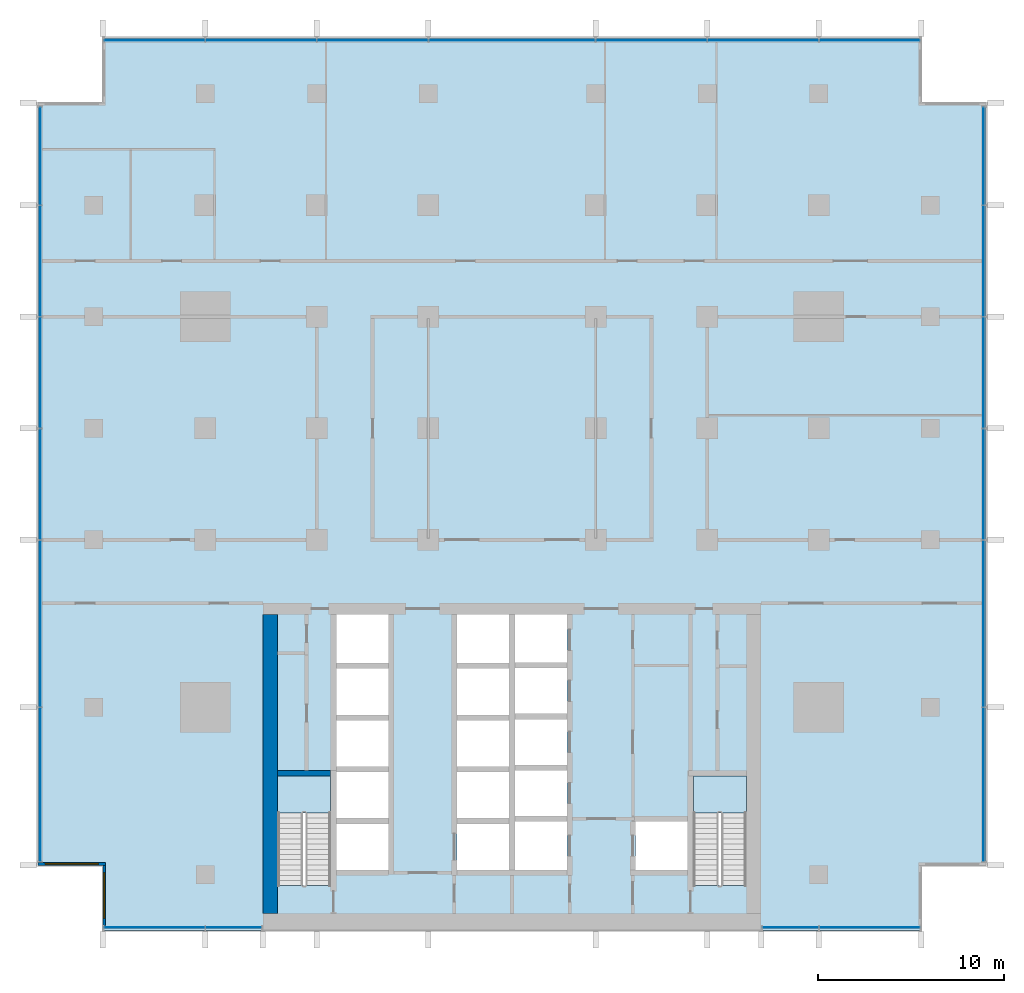
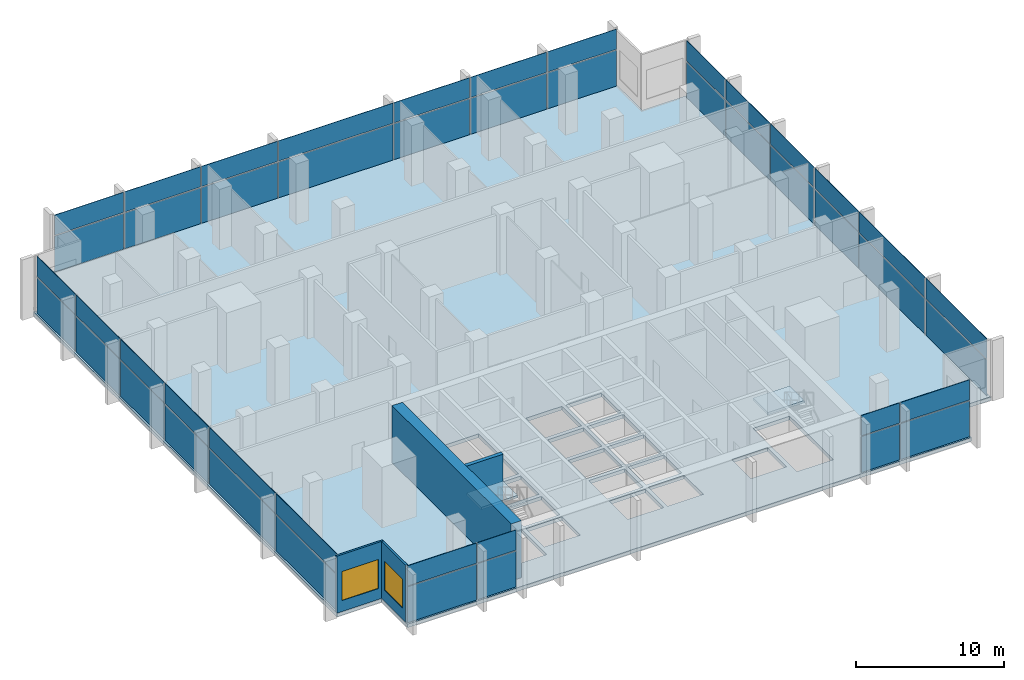
# One storey, part 6 of 14: 46 plates, 4 walls, 3 slabs, 2 windows, 2 openings, 7 elements without a shape of their own.
"""IFC4 building model written with IfcOpenShell, lengths in metres."""

from ifc_helpers import new_model, si_unit, direction, frame, frame_2d, origin, origin_2d, place, context, subcontext, project, spatial, polyline, rectangle, outline, extrude, material, layer, layer_set, type_object, element, fill, aggregate, save


model = new_model("IFC4")

# Units and contexts
model_context = context("Model", 3, precision=1e-05, world=origin(), true_north=direction((0.0, 1.0)))
body_context = subcontext(model_context, "Body", "Model", "MODEL_VIEW")
ifc_project = project(units=[si_unit("LENGTHUNIT", "METRE"), si_unit("AREAUNIT", "SQUARE_METRE"), si_unit("VOLUMEUNIT", "CUBIC_METRE"), si_unit("PLANEANGLEUNIT", "RADIAN"), si_unit("MASSUNIT", "GRAM", prefix="KILO")], contexts=[model_context])

# Site, building, storey
site_placement = place(None, origin())
site = spatial("IfcSite", under=ifc_project, at=site_placement, CompositionType="ELEMENT")
building_placement = place(site_placement, origin())
building = spatial("IfcBuilding", under=site, at=building_placement, Name="Finial Court Residences", CompositionType="ELEMENT")
storey_placement = place(building_placement, frame((0.0, 0.0, 133.89990234375)))
storey = spatial("IfcBuildingStorey", under=building, at=storey_placement, Name="L33", CompositionType="ELEMENT", Elevation=133.89990234375)

# Curtain wall, plates
ifc_material_1 = material(Name="Bronze anodised aluminium", Category="aluminium")
curtain_wall_type = type_object("IfcCurtainWallType", Name="Sky amenity glazing", PredefinedType="NOTDEFINED", material=ifc_material_1)
curtain_wall_1_placement = place(storey_placement, origin())
curtain_wall_1 = element("IfcCurtainWall", 1, at=curtain_wall_1_placement, inside=storey, type_object=curtain_wall_type, Name="E-L33-CW-N1", PredefinedType="NOTDEFINED")
ifc_material_2 = material(Name="Clear low-e glass", Category="glass")
ifc_layer_1 = layer(ifc_material_2, 0.035888671875)
ifc_layer_set_1 = layer_set([ifc_layer_1], Name="CW3 vision glass 36")
plate_type = type_object("IfcPlateType", Name="CW3 vision glass 36", PredefinedType="CURTAIN_PANEL", material=ifc_layer_set_1)
plate_1_placement = place(storey_placement, frame((-19.231201171875, 22.35009765625, 0.000244140625), z_axis=(0.0, 0.0, 1.0), x_axis=(1.0, 0.0, 0.0)))
plate_1 = element("IfcPlate", 2, at=plate_1_placement, type_object=plate_type, Name="CW3 glass 1.1", PredefinedType="CURTAIN_PANEL", context=body_context, shape_type="SweptSolid", body=[
    extrude(rectangle(XDim=5.387451171875, YDim=0.035888671875, at=origin_2d()), origin(), (0.0, 0.0, 1.0), 2.96240234375),
])
plate_2_placement = place(storey_placement, frame((-19.231201171875, 22.35009765625, 3.03759765625), z_axis=(0.0, 0.0, 1.0), x_axis=(1.0, 0.0, 0.0)))
plate_2 = element("IfcPlate", 3, at=plate_2_placement, type_object=plate_type, Name="CW3 glass 1.2", PredefinedType="CURTAIN_PANEL", context=body_context, shape_type="SweptSolid", body=[
    extrude(rectangle(XDim=5.387451171875, YDim=0.035888671875, at=origin_2d()), origin(), (0.0, 0.0, 1.0), 1.66259765625),
])
plate_3_placement = place(storey_placement, frame((-13.5, 22.35009765625, 0.000244140625), z_axis=(0.0, 0.0, 1.0), x_axis=(1.0, 0.0, 0.0)))
plate_3 = element("IfcPlate", 4, at=plate_3_placement, type_object=plate_type, Name="CW3 glass 2.1", PredefinedType="CURTAIN_PANEL", context=body_context, shape_type="SweptSolid", body=[
    extrude(rectangle(XDim=5.925048828125, YDim=0.035888671875, at=origin_2d()), origin(), (0.0, 0.0, 1.0), 2.96240234375),
])
plate_4_placement = place(storey_placement, frame((-13.5, 22.35009765625, 3.03759765625), z_axis=(0.0, 0.0, 1.0), x_axis=(1.0, 0.0, 0.0)))
plate_4 = element("IfcPlate", 5, at=plate_4_placement, type_object=plate_type, Name="CW3 glass 2.2", PredefinedType="CURTAIN_PANEL", context=body_context, shape_type="SweptSolid", body=[
    extrude(rectangle(XDim=5.925048828125, YDim=0.035888671875, at=origin_2d()), origin(), (0.0, 0.0, 1.0), 1.66259765625),
])
plate_5_placement = place(storey_placement, frame((-7.5, 22.35009765625, 0.000244140625), z_axis=(0.0, 0.0, 1.0), x_axis=(1.0, 0.0, 0.0)))
plate_5 = element("IfcPlate", 6, at=plate_5_placement, type_object=plate_type, Name="CW3 glass 3.1", PredefinedType="CURTAIN_PANEL", context=body_context, shape_type="SweptSolid", body=[
    extrude(rectangle(XDim=5.925048828125, YDim=0.035888671875, at=origin_2d()), origin(), (0.0, 0.0, 1.0), 2.96240234375),
])
plate_6_placement = place(storey_placement, frame((-7.5, 22.35009765625, 3.03759765625), z_axis=(0.0, 0.0, 1.0), x_axis=(1.0, 0.0, 0.0)))
plate_6 = element("IfcPlate", 7, at=plate_6_placement, type_object=plate_type, Name="CW3 glass 3.2", PredefinedType="CURTAIN_PANEL", context=body_context, shape_type="SweptSolid", body=[
    extrude(rectangle(XDim=5.925048828125, YDim=0.035888671875, at=origin_2d()), origin(), (0.0, 0.0, 1.0), 1.66259765625),
])
plate_7_placement = place(storey_placement, frame((0.0, 22.35009765625, 0.000244140625), z_axis=(0.0, 0.0, 1.0), x_axis=(1.0, 0.0, 0.0)))
plate_7 = element("IfcPlate", 8, at=plate_7_placement, type_object=plate_type, Name="CW3 glass 4.1", PredefinedType="CURTAIN_PANEL", context=body_context, shape_type="SweptSolid", body=[
    extrude(rectangle(XDim=8.925048828125, YDim=0.035888671875, at=origin_2d()), origin(), (0.0, 0.0, 1.0), 2.96240234375),
])
plate_8_placement = place(storey_placement, frame((0.0, 22.35009765625, 3.03759765625), z_axis=(0.0, 0.0, 1.0), x_axis=(1.0, 0.0, 0.0)))
plate_8 = element("IfcPlate", 9, at=plate_8_placement, type_object=plate_type, Name="CW3 glass 4.2", PredefinedType="CURTAIN_PANEL", context=body_context, shape_type="SweptSolid", body=[
    extrude(rectangle(XDim=8.925048828125, YDim=0.035888671875, at=origin_2d()), origin(), (0.0, 0.0, 1.0), 1.66259765625),
])
plate_9_placement = place(storey_placement, frame((7.5, 22.35009765625, 0.000244140625), z_axis=(0.0, 0.0, 1.0), x_axis=(1.0, 0.0, 0.0)))
plate_9 = element("IfcPlate", 10, at=plate_9_placement, type_object=plate_type, Name="CW3 glass 5.1", PredefinedType="CURTAIN_PANEL", context=body_context, shape_type="SweptSolid", body=[
    extrude(rectangle(XDim=5.925048828125, YDim=0.035888671875, at=origin_2d()), origin(), (0.0, 0.0, 1.0), 2.96240234375),
])
plate_10_placement = place(storey_placement, frame((7.5, 22.35009765625, 3.03759765625), z_axis=(0.0, 0.0, 1.0), x_axis=(1.0, 0.0, 0.0)))
plate_10 = element("IfcPlate", 11, at=plate_10_placement, type_object=plate_type, Name="CW3 glass 5.2", PredefinedType="CURTAIN_PANEL", context=body_context, shape_type="SweptSolid", body=[
    extrude(rectangle(XDim=5.925048828125, YDim=0.035888671875, at=origin_2d()), origin(), (0.0, 0.0, 1.0), 1.66259765625),
])
plate_11_placement = place(storey_placement, frame((13.5, 22.35009765625, 0.000244140625), z_axis=(0.0, 0.0, 1.0), x_axis=(1.0, 0.0, 0.0)))
plate_11 = element("IfcPlate", 12, at=plate_11_placement, type_object=plate_type, Name="CW3 glass 6.1", PredefinedType="CURTAIN_PANEL", context=body_context, shape_type="SweptSolid", body=[
    extrude(rectangle(XDim=5.925048828125, YDim=0.035888671875, at=origin_2d()), origin(), (0.0, 0.0, 1.0), 2.96240234375),
])
plate_12_placement = place(storey_placement, frame((13.5, 22.35009765625, 3.03759765625), z_axis=(0.0, 0.0, 1.0), x_axis=(1.0, 0.0, 0.0)))
plate_12 = element("IfcPlate", 13, at=plate_12_placement, type_object=plate_type, Name="CW3 glass 6.2", PredefinedType="CURTAIN_PANEL", context=body_context, shape_type="SweptSolid", body=[
    extrude(rectangle(XDim=5.925048828125, YDim=0.035888671875, at=origin_2d()), origin(), (0.0, 0.0, 1.0), 1.66259765625),
])
plate_13_placement = place(storey_placement, frame((19.231201171875, 22.35009765625, 0.000244140625), z_axis=(0.0, 0.0, 1.0), x_axis=(1.0, 0.0, 0.0)))
plate_13 = element("IfcPlate", 14, at=plate_13_placement, type_object=plate_type, Name="CW3 glass 7.1", PredefinedType="CURTAIN_PANEL", context=body_context, shape_type="SweptSolid", body=[
    extrude(rectangle(XDim=5.387451171875, YDim=0.035888671875, at=origin_2d()), origin(), (0.0, 0.0, 1.0), 2.96240234375),
])
plate_14_placement = place(storey_placement, frame((19.231201171875, 22.35009765625, 3.03759765625), z_axis=(0.0, 0.0, 1.0), x_axis=(1.0, 0.0, 0.0)))
plate_14 = element("IfcPlate", 15, at=plate_14_placement, type_object=plate_type, Name="CW3 glass 7.2", PredefinedType="CURTAIN_PANEL", context=body_context, shape_type="SweptSolid", body=[
    extrude(rectangle(XDim=5.387451171875, YDim=0.035888671875, at=origin_2d()), origin(), (0.0, 0.0, 1.0), 1.66259765625),
])
aggregate(curtain_wall_1, [plate_1, plate_2, plate_3, plate_4, plate_5, plate_6, plate_7, plate_8, plate_9, plate_10, plate_11, plate_12, plate_13, plate_14])

curtain_wall_2_placement = place(storey_placement, origin())
curtain_wall_2 = element("IfcCurtainWall", 16, at=curtain_wall_2_placement, inside=storey, type_object=curtain_wall_type, Name="E-L33-CW-E2", PredefinedType="NOTDEFINED")
plate_15_placement = place(storey_placement, frame((25.35009765625, -17.65625, 0.000244140625), z_axis=(0.0, 0.0, 1.0), x_axis=(0.0, 1.0, 0.0)))
plate_15 = element("IfcPlate", 17, at=plate_15_placement, type_object=plate_type, Name="CW3 glass 1.1", PredefinedType="CURTAIN_PANEL", context=body_context, shape_type="SweptSolid", body=[
    extrude(rectangle(XDim=8.237548828125, YDim=0.035888671875, at=origin_2d()), origin(), (0.0, 0.0, 1.0), 2.96240234375),
])
plate_16_placement = place(storey_placement, frame((25.35009765625, -17.65625, 3.03759765625), z_axis=(0.0, 0.0, 1.0), x_axis=(0.0, 1.0, 0.0)))
plate_16 = element("IfcPlate", 18, at=plate_16_placement, type_object=plate_type, Name="CW3 glass 1.2", PredefinedType="CURTAIN_PANEL", context=body_context, shape_type="SweptSolid", body=[
    extrude(rectangle(XDim=8.237548828125, YDim=0.035888671875, at=origin_2d()), origin(), (0.0, 0.0, 1.0), 1.66259765625),
])
plate_17_placement = place(storey_placement, frame((25.35009765625, -9.0, 0.000244140625), z_axis=(0.0, 0.0, 1.0), x_axis=(0.0, 1.0, 0.0)))
plate_17 = element("IfcPlate", 19, at=plate_17_placement, type_object=plate_type, Name="CW3 glass 2.1", PredefinedType="CURTAIN_PANEL", context=body_context, shape_type="SweptSolid", body=[
    extrude(rectangle(XDim=8.925048828125, YDim=0.035888671875, at=origin_2d()), origin(), (0.0, 0.0, 1.0), 2.96240234375),
])
plate_18_placement = place(storey_placement, frame((25.35009765625, -9.0, 3.03759765625), z_axis=(0.0, 0.0, 1.0), x_axis=(0.0, 1.0, 0.0)))
plate_18 = element("IfcPlate", 20, at=plate_18_placement, type_object=plate_type, Name="CW3 glass 2.2", PredefinedType="CURTAIN_PANEL", context=body_context, shape_type="SweptSolid", body=[
    extrude(rectangle(XDim=8.925048828125, YDim=0.035888671875, at=origin_2d()), origin(), (0.0, 0.0, 1.0), 1.66259765625),
])
plate_19_placement = place(storey_placement, frame((25.35009765625, -1.5, 0.000244140625), z_axis=(0.0, 0.0, 1.0), x_axis=(0.0, 1.0, 0.0)))
plate_19 = element("IfcPlate", 21, at=plate_19_placement, type_object=plate_type, Name="CW3 glass 3.1", PredefinedType="CURTAIN_PANEL", context=body_context, shape_type="SweptSolid", body=[
    extrude(rectangle(XDim=5.925048828125, YDim=0.035888671875, at=origin_2d()), origin(), (0.0, 0.0, 1.0), 2.96240234375),
])
plate_20_placement = place(storey_placement, frame((25.35009765625, -1.5, 3.03759765625), z_axis=(0.0, 0.0, 1.0), x_axis=(0.0, 1.0, 0.0)))
plate_20 = element("IfcPlate", 22, at=plate_20_placement, type_object=plate_type, Name="CW3 glass 3.2", PredefinedType="CURTAIN_PANEL", context=body_context, shape_type="SweptSolid", body=[
    extrude(rectangle(XDim=5.925048828125, YDim=0.035888671875, at=origin_2d()), origin(), (0.0, 0.0, 1.0), 1.66259765625),
])
plate_21_placement = place(storey_placement, frame((25.35009765625, 4.5, 0.000244140625), z_axis=(0.0, 0.0, 1.0), x_axis=(0.0, 1.0, 0.0)))
plate_21 = element("IfcPlate", 23, at=plate_21_placement, type_object=plate_type, Name="CW3 glass 4.1", PredefinedType="CURTAIN_PANEL", context=body_context, shape_type="SweptSolid", body=[
    extrude(rectangle(XDim=5.925048828125, YDim=0.035888671875, at=origin_2d()), origin(), (0.0, 0.0, 1.0), 2.96240234375),
])
plate_22_placement = place(storey_placement, frame((25.35009765625, 4.5, 3.03759765625), z_axis=(0.0, 0.0, 1.0), x_axis=(0.0, 1.0, 0.0)))
plate_22 = element("IfcPlate", 24, at=plate_22_placement, type_object=plate_type, Name="CW3 glass 4.2", PredefinedType="CURTAIN_PANEL", context=body_context, shape_type="SweptSolid", body=[
    extrude(rectangle(XDim=5.925048828125, YDim=0.035888671875, at=origin_2d()), origin(), (0.0, 0.0, 1.0), 1.66259765625),
])
plate_23_placement = place(storey_placement, frame((25.35009765625, 10.5, 0.000244140625), z_axis=(0.0, 0.0, 1.0), x_axis=(0.0, 1.0, 0.0)))
plate_23 = element("IfcPlate", 25, at=plate_23_placement, type_object=plate_type, Name="CW3 glass 5.1", PredefinedType="CURTAIN_PANEL", context=body_context, shape_type="SweptSolid", body=[
    extrude(rectangle(XDim=5.925048828125, YDim=0.035888671875, at=origin_2d()), origin(), (0.0, 0.0, 1.0), 2.96240234375),
])
plate_24_placement = place(storey_placement, frame((25.35009765625, 10.5, 3.03759765625), z_axis=(0.0, 0.0, 1.0), x_axis=(0.0, 1.0, 0.0)))
plate_24 = element("IfcPlate", 26, at=plate_24_placement, type_object=plate_type, Name="CW3 glass 5.2", PredefinedType="CURTAIN_PANEL", context=body_context, shape_type="SweptSolid", body=[
    extrude(rectangle(XDim=5.925048828125, YDim=0.035888671875, at=origin_2d()), origin(), (0.0, 0.0, 1.0), 1.66259765625),
])
plate_25_placement = place(storey_placement, frame((25.35009765625, 16.15625, 0.000244140625), z_axis=(0.0, 0.0, 1.0), x_axis=(0.0, 1.0, 0.0)))
plate_25 = element("IfcPlate", 27, at=plate_25_placement, type_object=plate_type, Name="CW3 glass 6.1", PredefinedType="CURTAIN_PANEL", context=body_context, shape_type="SweptSolid", body=[
    extrude(rectangle(XDim=5.237548828125, YDim=0.035888671875, at=origin_2d()), origin(), (0.0, 0.0, 1.0), 2.96240234375),
])
plate_26_placement = place(storey_placement, frame((25.35009765625, 16.15625, 3.03759765625), z_axis=(0.0, 0.0, 1.0), x_axis=(0.0, 1.0, 0.0)))
plate_26 = element("IfcPlate", 28, at=plate_26_placement, type_object=plate_type, Name="CW3 glass 6.2", PredefinedType="CURTAIN_PANEL", context=body_context, shape_type="SweptSolid", body=[
    extrude(rectangle(XDim=5.237548828125, YDim=0.035888671875, at=origin_2d()), origin(), (0.0, 0.0, 1.0), 1.66259765625),
])
aggregate(curtain_wall_2, [plate_15, plate_16, plate_17, plate_18, plate_19, plate_20, plate_21, plate_22, plate_23, plate_24, plate_25, plate_26])

curtain_wall_3_placement = place(storey_placement, origin())
curtain_wall_3 = element("IfcCurtainWall", 29, at=curtain_wall_3_placement, inside=storey, type_object=curtain_wall_type, Name="E-L33-CW-S3", PredefinedType="NOTDEFINED")
plate_27_placement = place(storey_placement, frame((-19.231201171875, -25.35009765625, 0.000244140625), z_axis=(0.0, 0.0, 1.0), x_axis=(1.0, 0.0, 0.0)))
plate_27 = element("IfcPlate", 30, at=plate_27_placement, type_object=plate_type, Name="CW3 glass 1.1", PredefinedType="CURTAIN_PANEL", context=body_context, shape_type="SweptSolid", body=[
    extrude(rectangle(XDim=5.387451171875, YDim=0.035888671875, at=origin_2d()), origin(), (0.0, 0.0, 1.0), 2.96240234375),
])
plate_28_placement = place(storey_placement, frame((-19.231201171875, -25.35009765625, 3.03759765625), z_axis=(0.0, 0.0, 1.0), x_axis=(1.0, 0.0, 0.0)))
plate_28 = element("IfcPlate", 31, at=plate_28_placement, type_object=plate_type, Name="CW3 glass 1.2", PredefinedType="CURTAIN_PANEL", context=body_context, shape_type="SweptSolid", body=[
    extrude(rectangle(XDim=5.387451171875, YDim=0.035888671875, at=origin_2d()), origin(), (0.0, 0.0, 1.0), 1.66259765625),
])
plate_29_placement = place(storey_placement, frame((-14.96875, -25.35009765625, 0.000244140625), z_axis=(0.0, 0.0, 1.0), x_axis=(1.0, 0.0, 0.0)))
plate_29 = element("IfcPlate", 32, at=plate_29_placement, type_object=plate_type, Name="CW3 glass 2.1", PredefinedType="CURTAIN_PANEL", context=body_context, shape_type="SweptSolid", body=[
    extrude(rectangle(XDim=2.987548828125, YDim=0.035888671875, at=origin_2d()), origin(), (0.0, 0.0, 1.0), 2.96240234375),
])
plate_30_placement = place(storey_placement, frame((-14.96875, -25.35009765625, 3.03759765625), z_axis=(0.0, 0.0, 1.0), x_axis=(1.0, 0.0, 0.0)))
plate_30 = element("IfcPlate", 33, at=plate_30_placement, type_object=plate_type, Name="CW3 glass 2.2", PredefinedType="CURTAIN_PANEL", context=body_context, shape_type="SweptSolid", body=[
    extrude(rectangle(XDim=2.987548828125, YDim=0.035888671875, at=origin_2d()), origin(), (0.0, 0.0, 1.0), 1.66259765625),
])
aggregate(curtain_wall_3, [plate_27, plate_28, plate_29, plate_30])

curtain_wall_4_placement = place(storey_placement, origin())
curtain_wall_4 = element("IfcCurtainWall", 34, at=curtain_wall_4_placement, inside=storey, type_object=curtain_wall_type, Name="E-L33-CW-S4", PredefinedType="NOTDEFINED")
plate_31_placement = place(storey_placement, frame((14.96875, -25.35009765625, 0.000244140625), z_axis=(0.0, 0.0, 1.0), x_axis=(1.0, 0.0, 0.0)))
plate_31 = element("IfcPlate", 35, at=plate_31_placement, type_object=plate_type, Name="CW3 glass 1.1", PredefinedType="CURTAIN_PANEL", context=body_context, shape_type="SweptSolid", body=[
    extrude(rectangle(XDim=2.987548828125, YDim=0.035888671875, at=origin_2d()), origin(), (0.0, 0.0, 1.0), 2.96240234375),
])
plate_32_placement = place(storey_placement, frame((14.96875, -25.35009765625, 3.03759765625), z_axis=(0.0, 0.0, 1.0), x_axis=(1.0, 0.0, 0.0)))
plate_32 = element("IfcPlate", 36, at=plate_32_placement, type_object=plate_type, Name="CW3 glass 1.2", PredefinedType="CURTAIN_PANEL", context=body_context, shape_type="SweptSolid", body=[
    extrude(rectangle(XDim=2.987548828125, YDim=0.035888671875, at=origin_2d()), origin(), (0.0, 0.0, 1.0), 1.66259765625),
])
plate_33_placement = place(storey_placement, frame((19.231201171875, -25.35009765625, 0.000244140625), z_axis=(0.0, 0.0, 1.0), x_axis=(1.0, 0.0, 0.0)))
plate_33 = element("IfcPlate", 37, at=plate_33_placement, type_object=plate_type, Name="CW3 glass 2.1", PredefinedType="CURTAIN_PANEL", context=body_context, shape_type="SweptSolid", body=[
    extrude(rectangle(XDim=5.387451171875, YDim=0.035888671875, at=origin_2d()), origin(), (0.0, 0.0, 1.0), 2.96240234375),
])
plate_34_placement = place(storey_placement, frame((19.231201171875, -25.35009765625, 3.03759765625), z_axis=(0.0, 0.0, 1.0), x_axis=(1.0, 0.0, 0.0)))
plate_34 = element("IfcPlate", 38, at=plate_34_placement, type_object=plate_type, Name="CW3 glass 2.2", PredefinedType="CURTAIN_PANEL", context=body_context, shape_type="SweptSolid", body=[
    extrude(rectangle(XDim=5.387451171875, YDim=0.035888671875, at=origin_2d()), origin(), (0.0, 0.0, 1.0), 1.66259765625),
])
aggregate(curtain_wall_4, [plate_31, plate_32, plate_33, plate_34])

curtain_wall_5_placement = place(storey_placement, origin())
curtain_wall_5 = element("IfcCurtainWall", 39, at=curtain_wall_5_placement, inside=storey, type_object=curtain_wall_type, Name="E-L33-CW-W5", PredefinedType="NOTDEFINED")
plate_35_placement = place(storey_placement, frame((-25.35009765625, -17.65625, 0.000244140625), z_axis=(0.0, 0.0, 1.0), x_axis=(0.0, 1.0, 0.0)))
plate_35 = element("IfcPlate", 40, at=plate_35_placement, type_object=plate_type, Name="CW3 glass 1.1", PredefinedType="CURTAIN_PANEL", context=body_context, shape_type="SweptSolid", body=[
    extrude(rectangle(XDim=8.237548828125, YDim=0.035888671875, at=origin_2d()), origin(), (0.0, 0.0, 1.0), 2.96240234375),
])
plate_36_placement = place(storey_placement, frame((-25.35009765625, -17.65625, 3.03759765625), z_axis=(0.0, 0.0, 1.0), x_axis=(0.0, 1.0, 0.0)))
plate_36 = element("IfcPlate", 41, at=plate_36_placement, type_object=plate_type, Name="CW3 glass 1.2", PredefinedType="CURTAIN_PANEL", context=body_context, shape_type="SweptSolid", body=[
    extrude(rectangle(XDim=8.237548828125, YDim=0.035888671875, at=origin_2d()), origin(), (0.0, 0.0, 1.0), 1.66259765625),
])
plate_37_placement = place(storey_placement, frame((-25.35009765625, -9.0, 0.000244140625), z_axis=(0.0, 0.0, 1.0), x_axis=(0.0, 1.0, 0.0)))
plate_37 = element("IfcPlate", 42, at=plate_37_placement, type_object=plate_type, Name="CW3 glass 2.1", PredefinedType="CURTAIN_PANEL", context=body_context, shape_type="SweptSolid", body=[
    extrude(rectangle(XDim=8.925048828125, YDim=0.035888671875, at=origin_2d()), origin(), (0.0, 0.0, 1.0), 2.96240234375),
])
plate_38_placement = place(storey_placement, frame((-25.35009765625, -9.0, 3.03759765625), z_axis=(0.0, 0.0, 1.0), x_axis=(0.0, 1.0, 0.0)))
plate_38 = element("IfcPlate", 43, at=plate_38_placement, type_object=plate_type, Name="CW3 glass 2.2", PredefinedType="CURTAIN_PANEL", context=body_context, shape_type="SweptSolid", body=[
    extrude(rectangle(XDim=8.925048828125, YDim=0.035888671875, at=origin_2d()), origin(), (0.0, 0.0, 1.0), 1.66259765625),
])
plate_39_placement = place(storey_placement, frame((-25.35009765625, -1.5, 0.000244140625), z_axis=(0.0, 0.0, 1.0), x_axis=(0.0, 1.0, 0.0)))
plate_39 = element("IfcPlate", 44, at=plate_39_placement, type_object=plate_type, Name="CW3 glass 3.1", PredefinedType="CURTAIN_PANEL", context=body_context, shape_type="SweptSolid", body=[
    extrude(rectangle(XDim=5.925048828125, YDim=0.035888671875, at=origin_2d()), origin(), (0.0, 0.0, 1.0), 2.96240234375),
])
plate_40_placement = place(storey_placement, frame((-25.35009765625, -1.5, 3.03759765625), z_axis=(0.0, 0.0, 1.0), x_axis=(0.0, 1.0, 0.0)))
plate_40 = element("IfcPlate", 45, at=plate_40_placement, type_object=plate_type, Name="CW3 glass 3.2", PredefinedType="CURTAIN_PANEL", context=body_context, shape_type="SweptSolid", body=[
    extrude(rectangle(XDim=5.925048828125, YDim=0.035888671875, at=origin_2d()), origin(), (0.0, 0.0, 1.0), 1.66259765625),
])
plate_41_placement = place(storey_placement, frame((-25.35009765625, 4.5, 0.000244140625), z_axis=(0.0, 0.0, 1.0), x_axis=(0.0, 1.0, 0.0)))
plate_41 = element("IfcPlate", 46, at=plate_41_placement, type_object=plate_type, Name="CW3 glass 4.1", PredefinedType="CURTAIN_PANEL", context=body_context, shape_type="SweptSolid", body=[
    extrude(rectangle(XDim=5.925048828125, YDim=0.035888671875, at=origin_2d()), origin(), (0.0, 0.0, 1.0), 2.96240234375),
])
plate_42_placement = place(storey_placement, frame((-25.35009765625, 4.5, 3.03759765625), z_axis=(0.0, 0.0, 1.0), x_axis=(0.0, 1.0, 0.0)))
plate_42 = element("IfcPlate", 47, at=plate_42_placement, type_object=plate_type, Name="CW3 glass 4.2", PredefinedType="CURTAIN_PANEL", context=body_context, shape_type="SweptSolid", body=[
    extrude(rectangle(XDim=5.925048828125, YDim=0.035888671875, at=origin_2d()), origin(), (0.0, 0.0, 1.0), 1.66259765625),
])
plate_43_placement = place(storey_placement, frame((-25.35009765625, 10.5, 0.000244140625), z_axis=(0.0, 0.0, 1.0), x_axis=(0.0, 1.0, 0.0)))
plate_43 = element("IfcPlate", 48, at=plate_43_placement, type_object=plate_type, Name="CW3 glass 5.1", PredefinedType="CURTAIN_PANEL", context=body_context, shape_type="SweptSolid", body=[
    extrude(rectangle(XDim=5.925048828125, YDim=0.035888671875, at=origin_2d()), origin(), (0.0, 0.0, 1.0), 2.96240234375),
])
plate_44_placement = place(storey_placement, frame((-25.35009765625, 10.5, 3.03759765625), z_axis=(0.0, 0.0, 1.0), x_axis=(0.0, 1.0, 0.0)))
plate_44 = element("IfcPlate", 49, at=plate_44_placement, type_object=plate_type, Name="CW3 glass 5.2", PredefinedType="CURTAIN_PANEL", context=body_context, shape_type="SweptSolid", body=[
    extrude(rectangle(XDim=5.925048828125, YDim=0.035888671875, at=origin_2d()), origin(), (0.0, 0.0, 1.0), 1.66259765625),
])
plate_45_placement = place(storey_placement, frame((-25.35009765625, 16.15625, 0.000244140625), z_axis=(0.0, 0.0, 1.0), x_axis=(0.0, 1.0, 0.0)))
plate_45 = element("IfcPlate", 50, at=plate_45_placement, type_object=plate_type, Name="CW3 glass 6.1", PredefinedType="CURTAIN_PANEL", context=body_context, shape_type="SweptSolid", body=[
    extrude(rectangle(XDim=5.237548828125, YDim=0.035888671875, at=origin_2d()), origin(), (0.0, 0.0, 1.0), 2.96240234375),
])
plate_46_placement = place(storey_placement, frame((-25.35009765625, 16.15625, 3.03759765625), z_axis=(0.0, 0.0, 1.0), x_axis=(0.0, 1.0, 0.0)))
plate_46 = element("IfcPlate", 51, at=plate_46_placement, type_object=plate_type, Name="CW3 glass 6.2", PredefinedType="CURTAIN_PANEL", context=body_context, shape_type="SweptSolid", body=[
    extrude(rectangle(XDim=5.237548828125, YDim=0.035888671875, at=origin_2d()), origin(), (0.0, 0.0, 1.0), 1.66259765625),
])
aggregate(curtain_wall_5, [plate_35, plate_36, plate_37, plate_38, plate_39, plate_40, plate_41, plate_42, plate_43, plate_44, plate_45, plate_46])

# Stair, slab
ifc_material_3 = material(Name="Concrete C50/60", Category="concrete")
stair_type = type_object("IfcStairType", Name="Exit stair 30 risers of 166.7 mm", PredefinedType="HALF_TURN_STAIR", material=ifc_material_3)
stair_1_placement = place(storey_placement, origin())
stair_1 = element("IfcStair", 52, at=stair_1_placement, inside=storey, type_object=stair_type, Name="L33 Exit stair ST-1", PredefinedType="HALF_TURN_STAIR")
ifc_layer_2 = layer(ifc_material_3, 0.199951171875)
ifc_layer_set_2 = layer_set([ifc_layer_2], Name="Exit stair landing")
slab_type_1 = type_object("IfcSlabType", Name="Exit stair landing", PredefinedType="LANDING", material=ifc_layer_set_2)
slab_1_placement = place(storey_placement, frame((0.0, 0.0, 2.300048828125)))
slab_1 = element("IfcSlab", 53, at=slab_1_placement, type_object=slab_type_1, Name="ST-1 landing 1", PredefinedType="LANDING", context=body_context, shape_type="SweptSolid", body=[
    extrude(outline(polyline([(-9.75, -19.179931640625), (-9.75, -17.199951171875), (-12.60009765625, -17.199951171875), (-12.60009765625, -19.179931640625), (-9.75, -19.179931640625)])), origin(), (0.0, 0.0, 1.0), 0.199951171875),
])
aggregate(stair_1, [slab_1])

stair_2_placement = place(storey_placement, origin())
stair_2 = element("IfcStair", 54, at=stair_2_placement, inside=storey, type_object=stair_type, Name="L33 Exit stair ST-2", PredefinedType="HALF_TURN_STAIR")
slab_2_placement = place(storey_placement, frame((0.0, 0.0, 2.300048828125)))
slab_2 = element("IfcSlab", 55, at=slab_2_placement, type_object=slab_type_1, Name="ST-2 landing 1", PredefinedType="LANDING", context=body_context, shape_type="SweptSolid", body=[
    extrude(outline(polyline([(12.60009765625, -19.179931640625), (12.60009765625, -17.199951171875), (9.75, -17.199951171875), (9.75, -19.179931640625), (12.60009765625, -19.179931640625)])), origin(), (0.0, 0.0, 1.0), 0.199951171875),
])
aggregate(stair_2, [slab_2])

# Slab
ifc_material_4 = material(Name="Concrete C40/50", Category="concrete")
ifc_layer_3 = layer(ifc_material_4, 0.300048828125)
ifc_layer_set_3 = layer_set([ifc_layer_3], Name="Flat plate slab 300 Concrete C40/50")
slab_type_2 = type_object("IfcSlabType", Name="Flat plate slab 300 Concrete C40/50", PredefinedType="FLOOR", material=ifc_layer_set_3)
slab_3_placement = place(storey_placement, frame((0.0, 0.0, -0.2998046875)))
element("IfcSlab", 56, at=slab_3_placement, inside=storey, type_object=slab_type_2, Name="S:SLAB:L33", PredefinedType="FLOOR", context=body_context, shape_type="SweptSolid", body=[
    extrude(outline(polyline([(22.0, -25.5), (-22.0, -25.5), (-22.0, -22.0), (-25.5, -22.0), (-25.5, 19.0), (-22.0, 19.0), (-22.0, 22.5), (22.0, 22.5), (22.0, 19.0), (25.5, 19.0), (25.5, -22.0), (22.0, -22.0), (22.0, -25.5)]), holes=[polyline([(-6.64990234375, -22.25), (-6.64990234375, -19.77001953125), (-9.449951171875, -19.77001953125), (-9.449951171875, -22.25), (-6.64990234375, -22.25)]), polyline([(-0.14990234375, -22.25), (-0.14990234375, -19.77001953125), (-2.949951171875, -19.77001953125), (-2.949951171875, -22.25), (-0.14990234375, -22.25)]), polyline([(-9.75, -17.199951171875), (-12.60009765625, -17.199951171875), (-12.60009765625, -23.09912109375), (-9.75, -23.09912109375), (-9.75, -17.199951171875)]), polyline([(-6.64990234375, -19.469970703125), (-6.64990234375, -16.989990234375), (-9.449951171875, -16.989990234375), (-9.449951171875, -19.469970703125), (-6.64990234375, -19.469970703125)]), polyline([(-6.64990234375, -16.68994140625), (-6.64990234375, -14.2099609375), (-9.449951171875, -14.2099609375), (-9.449951171875, -16.68994140625), (-6.64990234375, -16.68994140625)]), polyline([(-0.14990234375, -16.68994140625), (-0.14990234375, -14.2099609375), (-2.949951171875, -14.2099609375), (-2.949951171875, -16.68994140625), (-0.14990234375, -16.68994140625)]), polyline([(-6.64990234375, -13.909912109375), (-6.64990234375, -11.429931640625), (-9.449951171875, -11.429931640625), (-9.449951171875, -13.909912109375), (-6.64990234375, -13.909912109375)]), polyline([(-2.949951171875, -13.909912109375), (-0.14990234375, -13.909912109375), (-0.14990234375, -11.429931640625), (-2.949951171875, -11.429931640625), (-2.949951171875, -13.909912109375)]), polyline([(-9.449951171875, -11.1298828125), (-6.64990234375, -11.1298828125), (-6.64990234375, -8.5), (-9.449951171875, -8.5), (-9.449951171875, -11.1298828125)]), polyline([(2.949951171875, -22.25), (2.949951171875, -19.64990234375), (0.14990234375, -19.64990234375), (0.14990234375, -22.25), (2.949951171875, -22.25)]), polyline([(9.449951171875, -22.25), (9.449951171875, -19.64990234375), (6.64990234375, -19.64990234375), (6.64990234375, -22.25), (9.449951171875, -22.25)]), polyline([(12.60009765625, -17.199951171875), (9.75, -17.199951171875), (9.75, -23.09912109375), (12.60009765625, -23.09912109375), (12.60009765625, -17.199951171875)]), polyline([(-0.14990234375, -19.469970703125), (-0.14990234375, -16.989990234375), (-2.949951171875, -16.989990234375), (-2.949951171875, -19.469970703125), (-0.14990234375, -19.469970703125)]), polyline([(2.949951171875, -19.35009765625), (2.949951171875, -16.89990234375), (0.14990234375, -16.89990234375), (0.14990234375, -19.35009765625), (2.949951171875, -19.35009765625)]), polyline([(2.949951171875, -16.60009765625), (2.949951171875, -14.14990234375), (0.14990234375, -14.14990234375), (0.14990234375, -16.60009765625), (2.949951171875, -16.60009765625)]), polyline([(2.949951171875, -13.85009765625), (2.949951171875, -11.39990234375), (0.14990234375, -11.39990234375), (0.14990234375, -13.85009765625), (2.949951171875, -13.85009765625)]), polyline([(-2.949951171875, -11.1298828125), (-0.14990234375, -11.1298828125), (-0.14990234375, -8.5), (-2.949951171875, -8.5), (-2.949951171875, -11.1298828125)]), polyline([(0.14990234375, -11.10009765625), (2.949951171875, -11.10009765625), (2.949951171875, -8.5), (0.14990234375, -8.5), (0.14990234375, -11.10009765625)])]), origin(), (0.0, 0.0, 1.0), 0.2998046875),
])

# Walls
ifc_material_5 = material(Name="Concrete C70/85", Category="concrete")
ifc_layer_4 = layer(ifc_material_5, 0.800048828125)
ifc_layer_set_4 = layer_set([ifc_layer_4], Name="Core outer wall 800 Concrete C70/85")
wall_type_1 = type_object("IfcWallType", Name="Core outer wall 800 Concrete C70/85", PredefinedType="SHEAR", material=ifc_layer_set_4)
wall_1_placement = place(storey_placement, frame((-13.0, -24.60009765625, 0.0), z_axis=(0.0, 0.0, 1.0), x_axis=(0.0, 1.0, 0.0)))
element("IfcWall", 57, at=wall_1_placement, inside=storey, type_object=wall_type_1, Name="Core outer wall L33-03", PredefinedType="SHEAR", context=body_context, shape_type="SweptSolid", body=[
    extrude(rectangle(XDim=16.10009765625, YDim=0.800048828125, at=frame_2d((8.050048828125, 0.0))), origin(), (0.0, 0.0, 1.0), 4.7001953125),
])
ifc_layer_5 = layer(ifc_material_5, 0.300048828125)
ifc_layer_set_5 = layer_set([ifc_layer_5], Name="Lift shaft and stair wall 300 Concrete C70/85")
wall_type_2 = type_object("IfcWallType", Name="Lift shaft and stair wall 300 Concrete C70/85", PredefinedType="SHEAR", material=ifc_layer_set_5)
wall_2_placement = place(storey_placement, frame((-12.60009765625, -17.050048828125, 0.0), z_axis=(0.0, 0.0, 1.0), x_axis=(1.0, 0.0, 0.0)))
element("IfcWall", 58, at=wall_2_placement, inside=storey, type_object=wall_type_2, Name="Core wall L33-10", PredefinedType="SHEAR", context=body_context, shape_type="SweptSolid", body=[
    extrude(rectangle(XDim=2.85009765625, YDim=0.300048828125, at=frame_2d((1.425048828125, 0.0))), origin(), (0.0, 0.0, 1.0), 4.7001953125),
])

# Wall, opening, window
ifc_material_6 = material(Name="Natural limestone", Category="masonry")
ifc_layer_6 = layer(ifc_material_6, 0.14990234375)
ifc_layer_set_6 = layer_set([ifc_layer_6], Name="Limestone clad wall 150")
wall_type_3 = type_object("IfcWallType", Name="Limestone clad wall 150", PredefinedType="SOLIDWALL", material=ifc_layer_set_6)
wall_3_placement = place(storey_placement, frame((-21.925048828125, -25.237548828125, 0.0), z_axis=(0.0, 0.0, 1.0), x_axis=(0.0, 1.0, 0.0)))
wall_3 = element("IfcWall", 59, at=wall_3_placement, inside=storey, type_object=wall_type_3, Name="E-L33-NWW6", PredefinedType="SOLIDWALL", context=body_context, shape_type="SweptSolid", body=[
    extrude(rectangle(XDim=3.237548828125, YDim=0.14990234375, at=frame_2d((1.61865234375, 0.0))), origin(), (0.0, 0.0, 1.0), 4.7001953125),
])
opening_1_placement = place(wall_3_placement, frame((0.398681640625, 0.0, 0.89990234375)))
opening_1 = element("IfcOpeningElement", 60, at=opening_1_placement, cuts=wall_3, Name="Opening WE33-01", PredefinedType="OPENING", context=body_context, shape_type="SweptSolid", body=[
    extrude(rectangle(XDim=2.43994140625, YDim=2.39990234375, at=frame_2d((1.219970703125, 1.199951171875))), frame((0.0, 0.0849609375, 0.0), z_axis=(0.0, -1.0, 0.0), x_axis=(1.0, 0.0, 0.0)), (0.0, 0.0, 1.0), 0.169921875),
])
window_type_1 = type_object("IfcWindowType", Name="Corner window 2440 x 2400", PartitioningType="SINGLE_PANEL", PredefinedType="WINDOW", material=ifc_material_2)
window_1_placement = place(opening_1_placement, origin())
window_1 = element("IfcWindow", 61, at=window_1_placement, inside=storey, type_object=window_type_1, Name="E-L33-NWW6-W1", OverallHeight=2.39990234375, OverallWidth=2.43994140625, PartitioningType="SINGLE_PANEL", PredefinedType="WINDOW", context=body_context, shape_type="SweptSolid", body=[
    extrude(rectangle(XDim=2.43994140625, YDim=2.39990234375, at=frame_2d((1.219970703125, 1.199951171875))), frame((0.0, 0.030029296875, 0.0), z_axis=(0.0, -1.0, 0.0), x_axis=(1.0, 0.0, 0.0)), (0.0, 0.0, 1.0), 0.06005859375),
])
fill(opening_1, window_1)

wall_4_placement = place(storey_placement, frame((-21.85009765625, -21.925048828125, 0.0), z_axis=(0.0, 0.0, 1.0), x_axis=(-1.0, 0.0, 0.0)))
wall_4 = element("IfcWall", 62, at=wall_4_placement, inside=storey, type_object=wall_type_3, Name="E-L33-NWS7", PredefinedType="SOLIDWALL", context=body_context, shape_type="SweptSolid", body=[
    extrude(rectangle(XDim=3.64990234375, YDim=0.14990234375, at=frame_2d((1.824951171875, 0.0))), origin(), (0.0, 0.0, 1.0), 4.7001953125),
])
opening_2_placement = place(wall_4_placement, frame((0.39990234375, 0.0, 0.89990234375)))
opening_2 = element("IfcOpeningElement", 63, at=opening_2_placement, cuts=wall_4, Name="Opening WE33-02", PredefinedType="OPENING", context=body_context, shape_type="SweptSolid", body=[
    extrude(rectangle(XDim=2.85009765625, YDim=2.39990234375, at=frame_2d((1.425048828125, 1.199951171875))), frame((0.0, 0.0849609375, 0.0), z_axis=(0.0, -1.0, 0.0), x_axis=(1.0, 0.0, 0.0)), (0.0, 0.0, 1.0), 0.169921875),
])
window_type_2 = type_object("IfcWindowType", Name="Corner window 2850 x 2400", PartitioningType="SINGLE_PANEL", PredefinedType="WINDOW", material=ifc_material_2)
window_2_placement = place(opening_2_placement, origin())
window_2 = element("IfcWindow", 64, at=window_2_placement, inside=storey, type_object=window_type_2, Name="E-L33-NWS7-W1", OverallHeight=2.39990234375, OverallWidth=2.85009765625, PartitioningType="SINGLE_PANEL", PredefinedType="WINDOW", context=body_context, shape_type="SweptSolid", body=[
    extrude(rectangle(XDim=2.85009765625, YDim=2.39990234375, at=frame_2d((1.425048828125, 1.199951171875))), frame((0.0, 0.030029296875, 0.0), z_axis=(0.0, -1.0, 0.0), x_axis=(1.0, 0.0, 0.0)), (0.0, 0.0, 1.0), 0.06005859375),
])
fill(opening_2, window_2)

save(model, "model.ifc")
